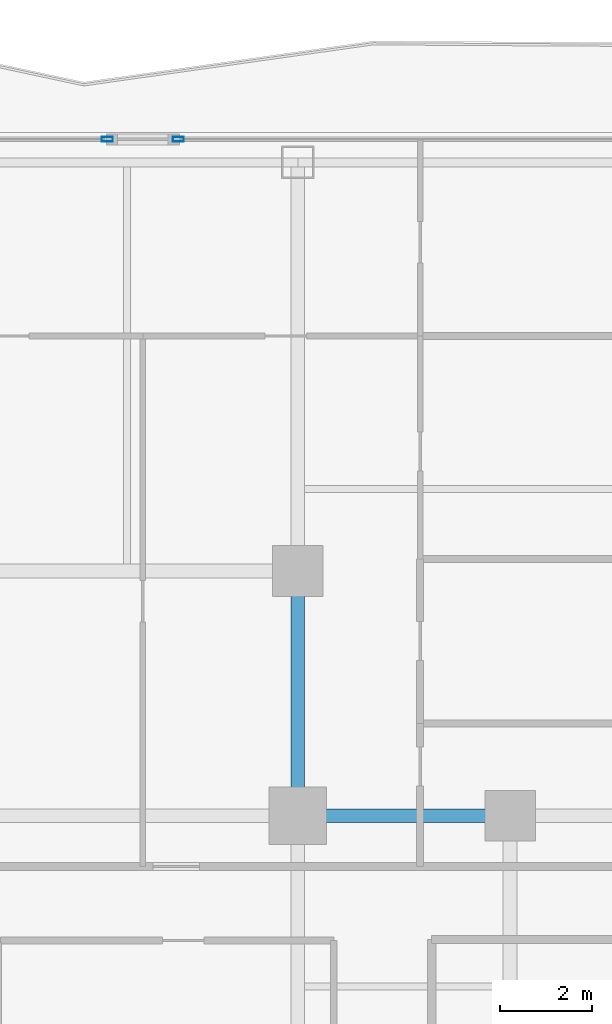
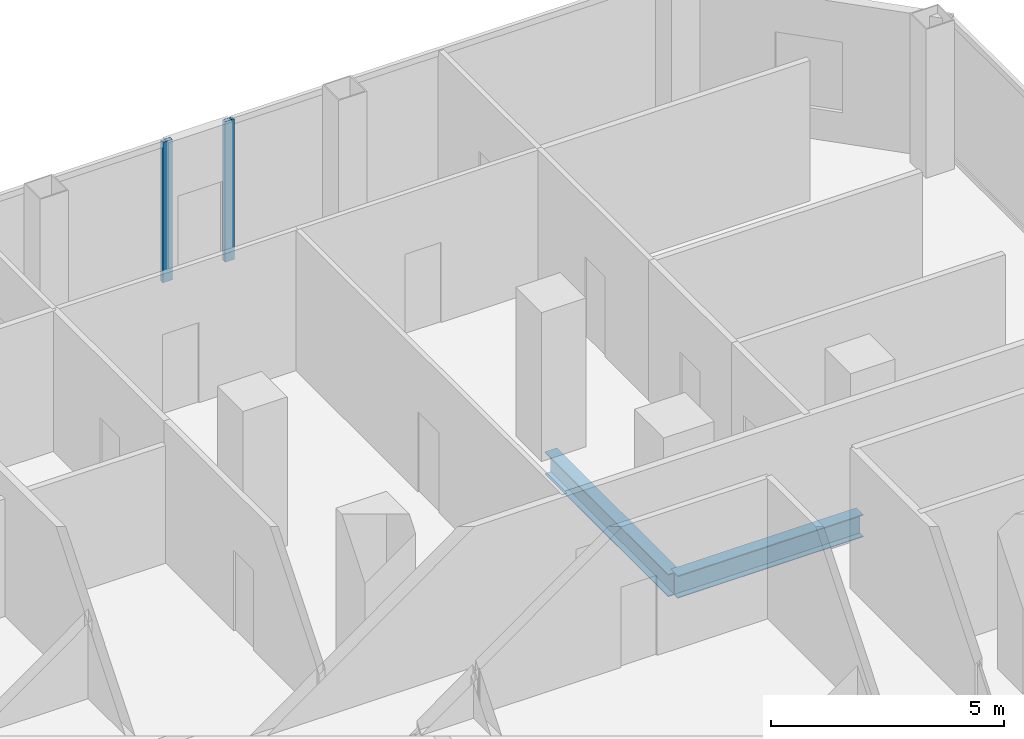
# One storey, part 16 of 27: 2 beams, 2 members, 2 elements without a shape of their own.
"""IFC4 building model written with IfcOpenShell, lengths in metres."""

from ifc_helpers import new_model, si_unit, direction, frame, origin, origin_2d, place, context, subcontext, project, spatial, hollow_rectangle, i_section, extrude, material, layer, layer_set, material_profile, profile_set, type_object, element, aggregate, save


model = new_model("IFC4")

# Units and contexts
model_context = context("Model", 3, precision=1e-05, world=origin(), true_north=direction((0.0, 1.0)))
body_context = subcontext(model_context, "Body", "Model", "MODEL_VIEW")
ifc_project = project(units=[si_unit("LENGTHUNIT", "METRE"), si_unit("AREAUNIT", "SQUARE_METRE"), si_unit("VOLUMEUNIT", "CUBIC_METRE"), si_unit("PLANEANGLEUNIT", "RADIAN"), si_unit("MASSUNIT", "GRAM", prefix="KILO")], contexts=[model_context])

# Site, building, storey
site_placement = place(None, origin())
site = spatial("IfcSite", under=ifc_project, at=site_placement, CompositionType="ELEMENT")
building_placement = place(site_placement, origin())
building = spatial("IfcBuilding", under=site, at=building_placement, Name="Khorvyn Point Tower", CompositionType="ELEMENT")
storey_placement = place(building_placement, frame((0.0, 0.0, 125.10009765625)))
storey = spatial("IfcBuildingStorey", under=building, at=storey_placement, Name="L31", CompositionType="ELEMENT", Elevation=125.10009765625)

# Curtain wall, member
ifc_material_1 = material(Name="Anodised aluminium 6063-T6 and laminated Low-E glass", Category="aluminium")
ifc_layer = layer(ifc_material_1, 0.18994140625)
ifc_layer_set = layer_set([ifc_layer], Name="Stick-Built Acoustic Curtain Wall CW-SYS-03")
curtain_wall_type = type_object("IfcCurtainWallType", Name="Stick-Built Acoustic Curtain Wall CW-SYS-03", PredefinedType="NOTDEFINED", material=ifc_layer_set)
curtain_wall_1_placement = place(storey_placement, origin())
curtain_wall_1 = element("IfcCurtainWall", 1, at=curtain_wall_1_placement, inside=storey, type_object=curtain_wall_type, Name="Curtain Wall", PredefinedType="NOTDEFINED")
ifc_material_2 = material(Name="Anodised aluminium 6063-T6", Category="aluminium")
ifc_material_profile_1 = material_profile(ifc_material_2, hollow_rectangle(XDim=0.10009765625, YDim=0.239990234375, WallThickness=0.0048828125, at=origin_2d()))
ifc_profile_set_1 = profile_set([ifc_material_profile_1], Name="Anodised aluminium 6063-T6 ALU-MUL-100x240")
member_type = type_object("IfcMemberType", Name="Anodised Aluminium 6063-T6 Mullion ALU-MUL-100x240", PredefinedType="MULLION", material=ifc_profile_set_1)
member_1_placement = place(storey_placement, frame((10.674072265625, 29.449951171875, 0.0), z_axis=(0.0, 0.0, 1.0), x_axis=(0.0, 1.0, 0.0)))
member_1 = element("IfcMember", 2, at=member_1_placement, type_object=member_type, Name="Transom", PredefinedType="MULLION", context=body_context, shape_type="SweptSolid", body=[
    extrude(hollow_rectangle(XDim=0.10009765625, YDim=0.239990234375, WallThickness=0.0048828125, at=origin_2d()), origin(), (0.0, 0.0, 1.0), 3.679931640625),
])
aggregate(curtain_wall_1, [member_1])

curtain_wall_2_placement = place(storey_placement, origin())
curtain_wall_2 = element("IfcCurtainWall", 3, at=curtain_wall_2_placement, inside=storey, type_object=curtain_wall_type, Name="Curtain Wall", PredefinedType="NOTDEFINED")
member_2_placement = place(storey_placement, frame((12.214111328125, 29.449951171875, 0.0), z_axis=(0.0, 0.0, 1.0), x_axis=(0.0, 1.0, 0.0)))
member_2 = element("IfcMember", 4, at=member_2_placement, type_object=member_type, Name="Transom", PredefinedType="MULLION", context=body_context, shape_type="SweptSolid", body=[
    extrude(hollow_rectangle(XDim=0.10009765625, YDim=0.239990234375, WallThickness=0.0048828125, at=origin_2d()), origin(), (0.0, 0.0, 1.0), 3.679931640625),
])
aggregate(curtain_wall_2, [member_2])

# Beams
ifc_material_3 = material(Name="Steel S355", Category="steel")
ifc_material_profile_2 = material_profile(ifc_material_3, i_section(OverallWidth=0.300048828125, OverallDepth=0.587890625, WebThickness=0.011962890625, FlangeThickness=0.02001953125, at=origin_2d()))
ifc_profile_set_2 = profile_set([ifc_material_profile_2], Name="Steel S355 H588x300x12x20")
beam_type = type_object("IfcBeamType", Name="Steel S355 Beam H588x300x12x20", PredefinedType="BEAM", material=ifc_profile_set_2)
beam_1_placement = place(storey_placement, frame((14.800048828125, 14.800048828125, -0.51416015625), z_axis=(1.0, 0.0, 0.0), x_axis=(0.0, 1.0, 0.0)))
element("IfcBeam", 5, at=beam_1_placement, inside=storey, type_object=beam_type, Name="Beam", PredefinedType="BEAM", context=body_context, shape_type="SweptSolid", body=[
    extrude(i_section(OverallWidth=0.300048828125, OverallDepth=0.587890625, WebThickness=0.011962890625, FlangeThickness=0.02001953125, at=origin_2d()), origin(), (0.0, 0.0, 1.0), 4.599853515625),
])
beam_2_placement = place(storey_placement, frame((14.800048828125, 14.800048828125, -0.51416015625), z_axis=(0.0, 1.0, 0.0), x_axis=(-1.0, 0.0, 0.0)))
element("IfcBeam", 6, at=beam_2_placement, inside=storey, type_object=beam_type, Name="Beam", PredefinedType="BEAM", context=body_context, shape_type="SweptSolid", body=[
    extrude(i_section(OverallWidth=0.300048828125, OverallDepth=0.587890625, WebThickness=0.011962890625, FlangeThickness=0.02001953125, at=origin_2d()), origin(), (0.0, 0.0, 1.0), 5.300048828125),
])

save(model, "model.ifc")
